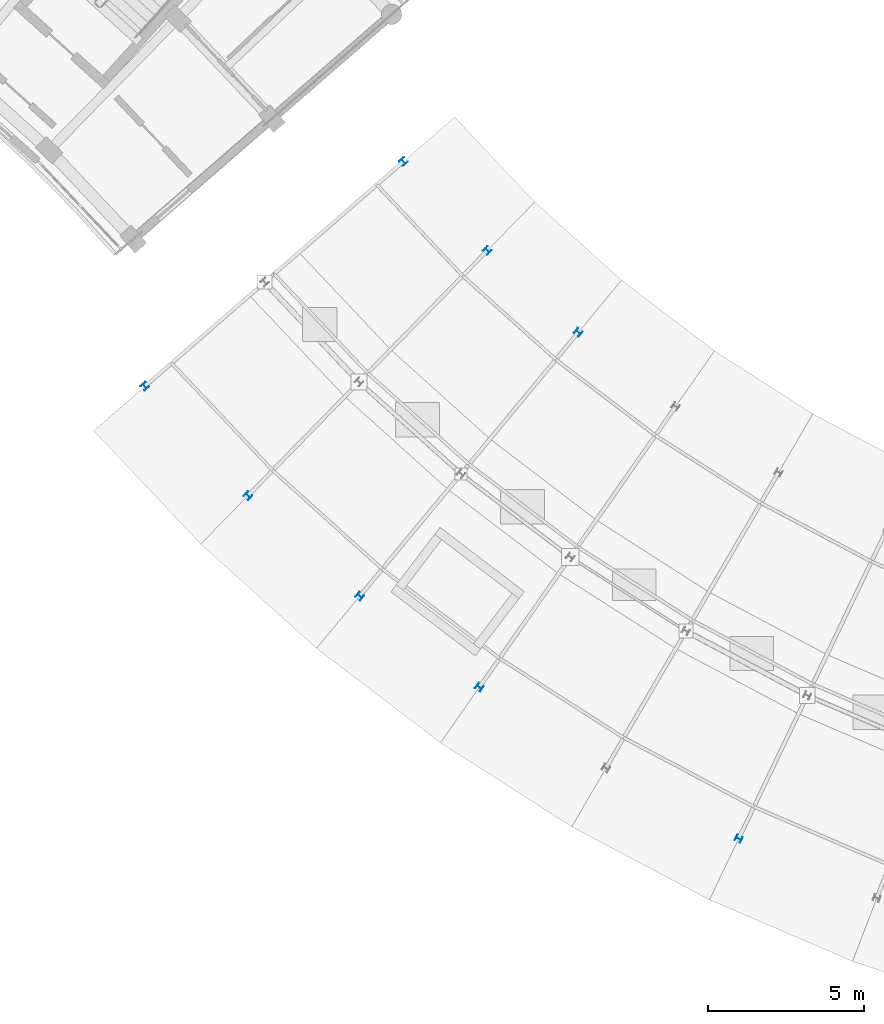
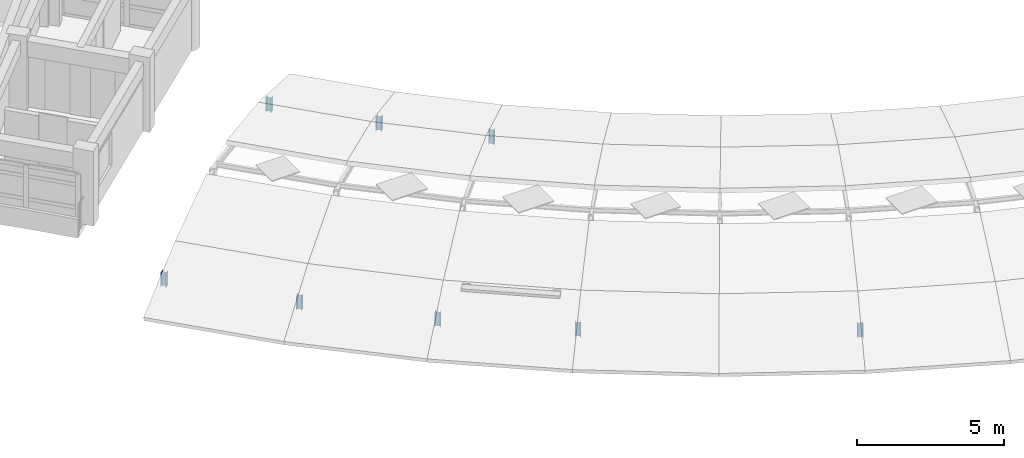
# One storey, part 5 of 40: 8 columns.
"""IFC4 building model written with IfcOpenShell, lengths in metres."""

from ifc_helpers import new_model, si_unit, direction, frame, origin, origin_2d, place, context, subcontext, project, spatial, i_section, extrude, material, material_profile, profile_set, type_object, element, save


model = new_model("IFC4")

# Units and contexts
model_context = context("Model", 3, precision=1e-05, world=origin(), true_north=direction((0.0, 1.0)))
body_context = subcontext(model_context, "Body", "Model", "MODEL_VIEW")
ifc_project = project(units=[si_unit("LENGTHUNIT", "METRE"), si_unit("AREAUNIT", "SQUARE_METRE"), si_unit("VOLUMEUNIT", "CUBIC_METRE"), si_unit("PLANEANGLEUNIT", "RADIAN"), si_unit("MASSUNIT", "GRAM", prefix="KILO")], contexts=[model_context])

# Site, building, storey
site_placement = place(None, origin())
site = spatial("IfcSite", under=ifc_project, at=site_placement, CompositionType="ELEMENT")
building_placement = place(site_placement, origin())
building = spatial("IfcBuilding", under=site, at=building_placement, Name="Zimvara Arc Housing Community", CompositionType="ELEMENT")
storey_placement = place(building_placement, frame((0.0, 0.0, 32.89990234375)))
storey = spatial("IfcBuildingStorey", under=building, at=storey_placement, Name="L10", CompositionType="ELEMENT", Elevation=32.89990234375)

# Columns
ifc_material = material(Name="Steel S355", Category="steel")
ifc_material_profile = material_profile(ifc_material, i_section(OverallWidth=0.199951171875, OverallDepth=0.199951171875, WebThickness=0.009033203125, FlangeThickness=0.014892578125, FilletRadius=0.01806640625, at=origin_2d()), Name="HEB 200")
ifc_profile_set = profile_set([ifc_material_profile], Name="Steel S355")
column_type = type_object("IfcColumnType", Name="COL-ST-HEB200", PredefinedType="COLUMN", material=ifc_profile_set)
for number, where, z_axis, x_axis, name in (
    (1, (89.814208984375, 78.421630859375, 0.0), (0.0, 0.0, 1.0), (-0.754709580223, -0.656059028991, 0.0), "col:blkC:L10:ribpost1:g0"),
    (2, (81.542724609375, 71.231201171875, 0.0), (0.0, 0.0, 1.0), (-0.754709580223, -0.656059028991, 0.0), "col:blkC:L10:ribpost3:g0"),
    (3, (92.5, 75.57568359375, 0.0), (0.0, 0.0, 1.0), (-0.698665066769, -0.715448897181, 0.0), "col:blkC:L10:ribpost1:g1"),
    (4, (84.842529296875, 67.734375, 0.0), (0.0, 0.0, 1.0), (-0.698665066769, -0.715448897181, 0.0), "col:blkC:L10:ribpost3:g1"),
    (5, (95.408935546875, 72.958251953125, 0.0), (0.0, 0.0, 1.0), (-0.637961754089, -0.770068049148, 0.0), "col:blkC:L10:ribpost1:g2"),
    (6, (88.416748046875, 64.518310546875, 0.0), (0.0, 0.0, 1.0), (-0.637961754089, -0.770068049148, 0.0), "col:blkC:L10:ribpost3:g2"),
    (7, (92.241455078125, 61.604736328125, 0.0), (0.0, 0.0, 1.0), (-0.573004420611, -0.819552276527, 0.0), "col:blkC:L10:ribpost3:g3"),
    (8, (100.538818359375, 56.760009765625, 0.0), (0.0, 0.0, 1.0), (-0.432085748802, -0.901832526405, 0.0), "col:blkC:L10:ribpost3:g5"),
):
    element("IfcColumn", number, at=place(storey_placement, frame(where, z_axis=z_axis, x_axis=x_axis)), inside=storey, type_object=column_type, Name=name, PredefinedType="COLUMN", context=body_context, shape_type="SweptSolid", body=[
        extrude(i_section(OverallWidth=0.199951171875, OverallDepth=0.199951171875, WebThickness=0.009033203125, FlangeThickness=0.014892578125, FilletRadius=0.01806640625, at=origin_2d()), origin(), (0.0, 0.0, 1.0), 0.582763671875),
    ])

save(model, "model.ifc")
